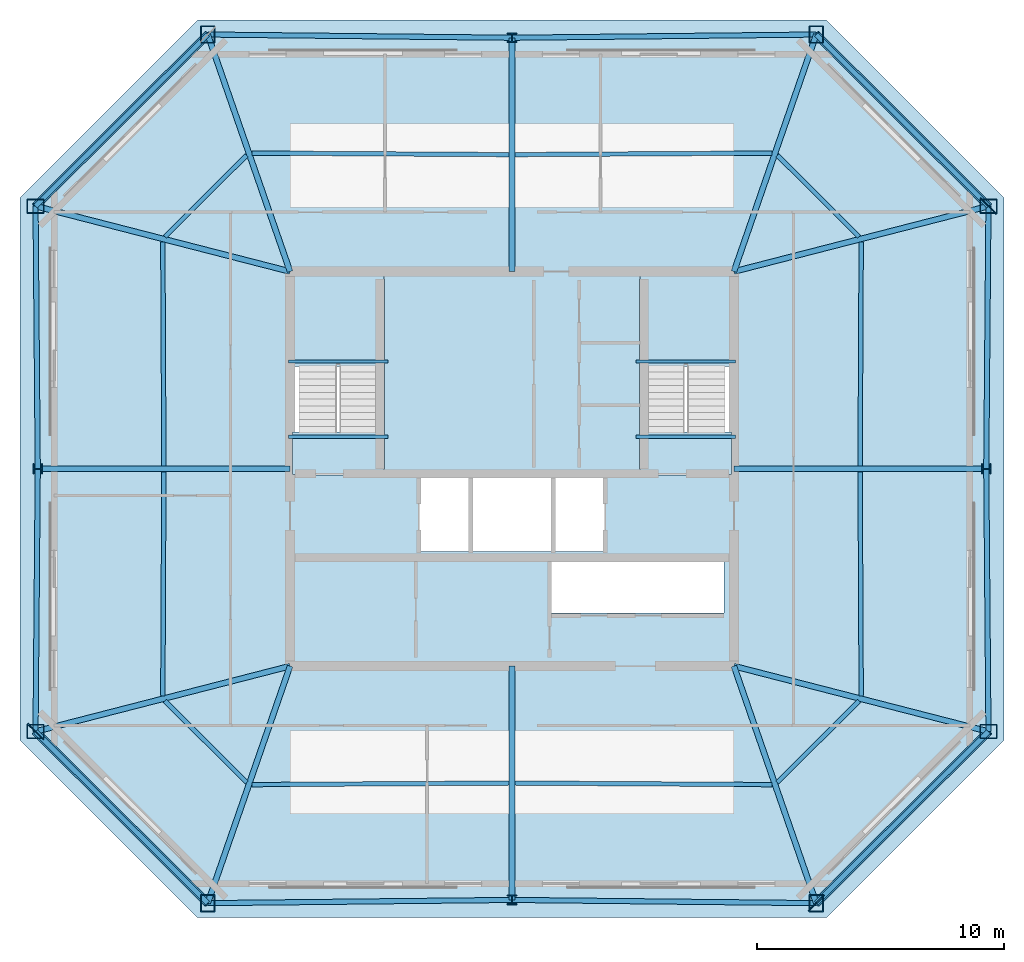
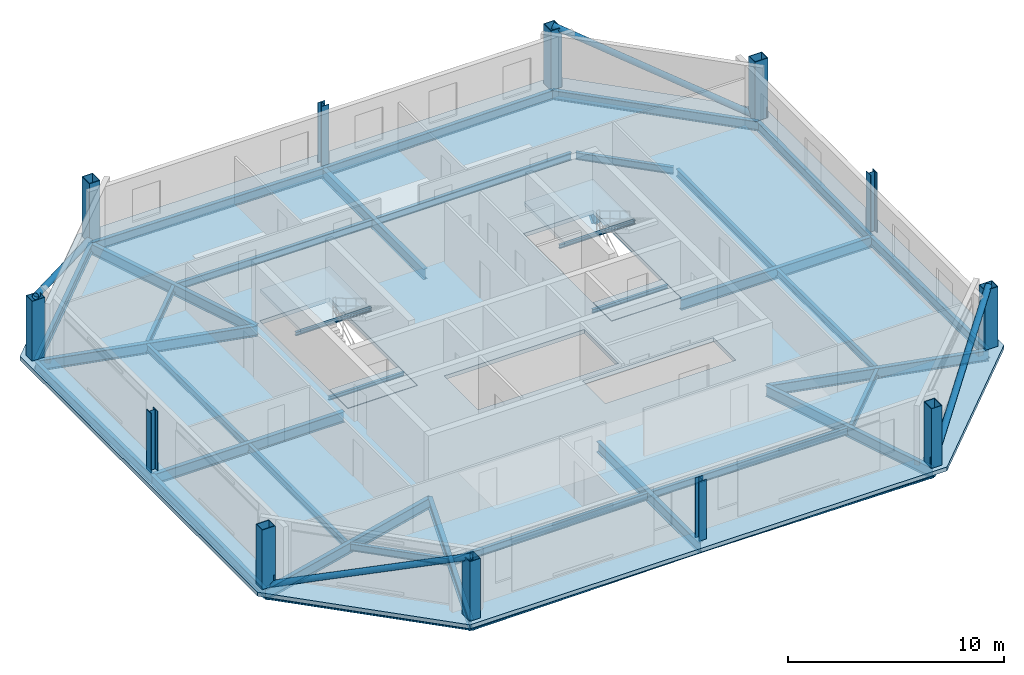
# One storey, part 1 of 6: 40 beams, 12 columns, 5 slabs, 4 members, 3 plates, 2 elements without a shape of their own.
"""IFC4 building model written with IfcOpenShell, lengths in metres."""

from ifc_helpers import new_model, si_unit, direction, frame, origin, origin_2d, place, context, subcontext, project, spatial, polyline, rectangle, hollow_rectangle, hollow_circle, i_section, outline, extrude, material, layer, layer_set, material_profile, profile_set, type_object, element, aggregate, save


model = new_model("IFC4")

# Units and contexts
model_context = context("Model", 3, precision=1e-05, world=origin(), true_north=direction((0.0, 1.0)))
body_context = subcontext(model_context, "Body", "Model", "MODEL_VIEW")
ifc_project = project(units=[si_unit("LENGTHUNIT", "METRE"), si_unit("AREAUNIT", "SQUARE_METRE"), si_unit("VOLUMEUNIT", "CUBIC_METRE"), si_unit("PLANEANGLEUNIT", "RADIAN"), si_unit("MASSUNIT", "GRAM", prefix="KILO")], contexts=[model_context])

# Site, building, storey
site_placement = place(None, origin())
site = spatial("IfcSite", under=ifc_project, at=site_placement, CompositionType="ELEMENT")
building_placement = place(site_placement, origin())
building = spatial("IfcBuilding", under=site, at=building_placement, Name="Caelvoria Tower", CompositionType="ELEMENT")
storey_placement = place(building_placement, frame((0.0, 0.0, 243.0)))
storey = spatial("IfcBuildingStorey", under=building, at=storey_placement, Name="L64", CompositionType="ELEMENT", Elevation=243.0)

# Columns
ifc_material_1 = material(Name="Structural Steel ASTM A572 Gr.50", Category="steel")
ifc_material_profile_1 = material_profile(ifc_material_1, hollow_rectangle(XDim=0.580078125, YDim=0.699951171875, WallThickness=0.031982421875, at=origin_2d()), Name="Structural Steel ASTM A572 Gr.50")
ifc_profile_set_1 = profile_set([ifc_material_profile_1], Name="BOX700X580X32 - Structural Steel ASTM A572 Gr.50")
column_type_1 = type_object("IfcColumnType", Name="Mega Box Column 700x580x32", PredefinedType="COLUMN", material=ifc_profile_set_1)
for number, where, z_axis, x_axis, name in (
    (1, (33.6630859375, 14.3896484375, 0.0), (0.0, 0.0, 1.0), (1.0, 0.0, 0.0), "Perimeter Megaframe Column L64-P00"),
    (2, (58.3369140625, 14.3896484375, 0.0), (0.0, 0.0, 1.0), (1.0, 0.0, 0.0), "Perimeter Megaframe Column L64-P02"),
    (3, (65.319580078125, 21.34765625, 0.0), (0.0, 0.0, 1.0), (0.0, 1.0, 0.0), "Perimeter Megaframe Column L64-P03"),
    (4, (65.319580078125, 42.65234375, 0.0), (0.0, 0.0, 1.0), (0.0, 1.0, 0.0), "Perimeter Megaframe Column L64-P05"),
    (5, (58.3369140625, 49.6103515625, 0.0), (0.0, 0.0, 1.0), (1.0, 0.0, 0.0), "Perimeter Megaframe Column L64-P06"),
    (6, (33.6630859375, 49.6103515625, 0.0), (0.0, 0.0, 1.0), (1.0, 0.0, 0.0), "Perimeter Megaframe Column L64-P08"),
    (7, (26.680419921875, 42.65234375, 0.0), (0.0, 0.0, 1.0), (0.0, 1.0, 0.0), "Perimeter Megaframe Column L64-P09"),
    (8, (26.680419921875, 21.34765625, 0.0), (0.0, 0.0, 1.0), (0.0, 1.0, 0.0), "Perimeter Megaframe Column L64-P11"),
):
    element("IfcColumn", number, at=place(storey_placement, frame(where, z_axis=z_axis, x_axis=x_axis)), inside=storey, type_object=column_type_1, Name=name, PredefinedType="COLUMN", context=body_context, shape_type="SweptSolid", body=[
        extrude(hollow_rectangle(XDim=0.580078125, YDim=0.699951171875, WallThickness=0.031982421875, at=origin_2d()), origin(), (0.0, 0.0, 1.0), 3.373046875),
    ])
ifc_material_2 = material(Name="Structural Steel ASTM A992 Gr.50", Category="steel")
ifc_material_profile_2 = material_profile(ifc_material_2, i_section(OverallWidth=0.39501953125, OverallDepth=0.3798828125, WebThickness=0.018798828125, FlangeThickness=0.0302734375, FilletRadius=0.02490234375, at=origin_2d()), Name="Structural Steel ASTM A992 Gr.50")
ifc_profile_set_2 = profile_set([ifc_material_profile_2], Name="W360X237 - Structural Steel ASTM A992 Gr.50")
column_type_2 = type_object("IfcColumnType", Name="Summit Frame Column W360X237", PredefinedType="COLUMN", material=ifc_profile_set_2)
for number, where, z_axis, x_axis, name in (
    (9, (46.0, 14.52001953125, 0.0), (0.0, 0.0, 1.0), (1.0, 0.0, 0.0), "Perimeter Megaframe Column L64-P01"),
    (10, (65.22998046875, 32.0, 0.0), (0.0, 0.0, 1.0), (0.0, 1.0, 0.0), "Perimeter Megaframe Column L64-P04"),
    (11, (46.0, 49.47998046875, 0.0), (0.0, 0.0, 1.0), (1.0, 0.0, 0.0), "Perimeter Megaframe Column L64-P07"),
    (12, (26.77001953125, 32.0, 0.0), (0.0, 0.0, 1.0), (0.0, 1.0, 0.0), "Perimeter Megaframe Column L64-P10"),
):
    element("IfcColumn", number, at=place(storey_placement, frame(where, z_axis=z_axis, x_axis=x_axis)), inside=storey, type_object=column_type_2, Name=name, PredefinedType="COLUMN", context=body_context, shape_type="SweptSolid", body=[
        extrude(i_section(OverallWidth=0.39501953125, OverallDepth=0.3798828125, WebThickness=0.018798828125, FlangeThickness=0.0302734375, FilletRadius=0.02490234375, at=origin_2d()), origin(), (0.0, 0.0, 1.0), 3.373046875),
    ])

# Beams
ifc_material_profile_3 = material_profile(ifc_material_2, i_section(OverallWidth=0.134033203125, OverallDepth=0.2099609375, WebThickness=0.00634765625, FlangeThickness=0.01025390625, FilletRadius=0.010009765625, at=origin_2d()), Name="Structural Steel ASTM A992 Gr.50")
ifc_profile_set_3 = profile_set([ifc_material_profile_3], Name="W200X31.3 - Structural Steel ASTM A992 Gr.50")
beam_type_1 = type_object("IfcBeamType", Name="Canopy Edge Trim Beam W200X31.3", PredefinedType="BEAM", material=ifc_profile_set_3)
for number, where, z_axis, x_axis, name in (
    (13, (36.929931640625, 36.35009765625, 1.4951171875), (1.0, 0.0, 0.0), (0.0, 1.0, 0.0), "ST-01 Half-Landing Support Beam L64"),
    (14, (36.929931640625, 33.300048828125, -0.304931640625), (1.0, 0.0, 0.0), (0.0, 1.0, 0.0), "ST-01 Floor-Landing Support Beam L64"),
    (15, (51.030029296875, 36.35009765625, 1.4951171875), (1.0, 0.0, 0.0), (0.0, 1.0, 0.0), "ST-02 Half-Landing Support Beam L64"),
    (16, (51.030029296875, 33.300048828125, -0.304931640625), (1.0, 0.0, 0.0), (0.0, 1.0, 0.0), "ST-02 Floor-Landing Support Beam L64"),
):
    element("IfcBeam", number, at=place(storey_placement, frame(where, z_axis=z_axis, x_axis=x_axis)), inside=storey, type_object=beam_type_1, Name=name, PredefinedType="BEAM", context=body_context, shape_type="SweptSolid", body=[
        extrude(i_section(OverallWidth=0.134033203125, OverallDepth=0.2099609375, WebThickness=0.00634765625, FlangeThickness=0.01025390625, FilletRadius=0.010009765625, at=origin_2d()), origin(), (0.0, 0.0, 1.0), 4.0400390625),
    ])
ifc_material_profile_4 = material_profile(ifc_material_2, i_section(OverallWidth=0.22802734375, OverallDepth=0.60302734375, WebThickness=0.010498046875, FlangeThickness=0.014892578125, FilletRadius=0.01806640625, at=origin_2d()), Name="Structural Steel ASTM A992 Gr.50")
ifc_profile_set_4 = profile_set([ifc_material_profile_4], Name="W610X101 - Structural Steel ASTM A992 Gr.50")
beam_type_2 = type_object("IfcBeamType", Name="Primary Floor Girder W610X101", PredefinedType="BEAM", material=ifc_profile_set_4)
beam_1_placement = place(storey_placement, frame((37.0, 24.0, -0.526611328125), z_axis=(-0.32801049917, -0.944674077359, 0.0), x_axis=(0.944674077359, -0.32801049917, 0.0)))
element("IfcBeam", 17, at=beam_1_placement, inside=storey, type_object=beam_type_2, Name="Primary Floor Girder L64-00", PredefinedType="BEAM", context=body_context, shape_type="SweptSolid", body=[
    extrude(i_section(OverallWidth=0.22802734375, OverallDepth=0.60302734375, WebThickness=0.010498046875, FlangeThickness=0.014892578125, FilletRadius=0.01806640625, at=origin_2d()), origin(), (0.0, 0.0, 1.0), 10.173095703125),
])
beam_2_placement = place(storey_placement, frame((46.0, 24.0, -0.526611328125), z_axis=(0.0, -1.0, 0.0), x_axis=(1.0, 0.0, 0.0)))
element("IfcBeam", 18, at=beam_2_placement, inside=storey, type_object=beam_type_2, Name="Primary Floor Girder L64-01", PredefinedType="BEAM", context=body_context, shape_type="SweptSolid", body=[
    extrude(i_section(OverallWidth=0.22802734375, OverallDepth=0.60302734375, WebThickness=0.010498046875, FlangeThickness=0.014892578125, FilletRadius=0.01806640625, at=origin_2d()), origin(), (0.0, 0.0, 1.0), 9.47998046875),
])
beam_3_placement = place(storey_placement, frame((55.0, 24.0, -0.526611328125), z_axis=(0.32801049917, -0.944674077359, 0.0), x_axis=(0.944674077359, 0.32801049917, 0.0)))
element("IfcBeam", 19, at=beam_3_placement, inside=storey, type_object=beam_type_2, Name="Primary Floor Girder L64-02", PredefinedType="BEAM", context=body_context, shape_type="SweptSolid", body=[
    extrude(i_section(OverallWidth=0.22802734375, OverallDepth=0.60302734375, WebThickness=0.010498046875, FlangeThickness=0.014892578125, FilletRadius=0.01806640625, at=origin_2d()), origin(), (0.0, 0.0, 1.0), 10.173095703125),
])
beam_4_placement = place(storey_placement, frame((55.0, 24.0, -0.526611328125), z_axis=(0.968521506415, -0.248929892964, 0.0), x_axis=(0.248929892964, 0.968521506415, 0.0)))
element("IfcBeam", 20, at=beam_4_placement, inside=storey, type_object=beam_type_2, Name="Primary Floor Girder L64-03", PredefinedType="BEAM", context=body_context, shape_type="SweptSolid", body=[
    extrude(i_section(OverallWidth=0.22802734375, OverallDepth=0.60302734375, WebThickness=0.010498046875, FlangeThickness=0.014892578125, FilletRadius=0.01806640625, at=origin_2d()), origin(), (0.0, 0.0, 1.0), 10.655029296875),
])
beam_5_placement = place(storey_placement, frame((55.0, 32.0, -0.526611328125), z_axis=(1.0, 0.0, 0.0), x_axis=(0.0, 1.0, 0.0)))
element("IfcBeam", 21, at=beam_5_placement, inside=storey, type_object=beam_type_2, Name="Primary Floor Girder L64-04", PredefinedType="BEAM", context=body_context, shape_type="SweptSolid", body=[
    extrude(i_section(OverallWidth=0.22802734375, OverallDepth=0.60302734375, WebThickness=0.010498046875, FlangeThickness=0.014892578125, FilletRadius=0.01806640625, at=origin_2d()), origin(), (0.0, 0.0, 1.0), 10.22998046875),
])
beam_6_placement = place(storey_placement, frame((55.0, 40.0, -0.526611328125), z_axis=(0.968521506415, 0.248929892964, 0.0), x_axis=(-0.248929892964, 0.968521506415, 0.0)))
element("IfcBeam", 22, at=beam_6_placement, inside=storey, type_object=beam_type_2, Name="Primary Floor Girder L64-05", PredefinedType="BEAM", context=body_context, shape_type="SweptSolid", body=[
    extrude(i_section(OverallWidth=0.22802734375, OverallDepth=0.60302734375, WebThickness=0.010498046875, FlangeThickness=0.014892578125, FilletRadius=0.01806640625, at=origin_2d()), origin(), (0.0, 0.0, 1.0), 10.655029296875),
])
beam_7_placement = place(storey_placement, frame((55.0, 40.0, -0.526611328125), z_axis=(0.32801049917, 0.944674077359, 0.0), x_axis=(-0.944674077359, 0.32801049917, 0.0)))
element("IfcBeam", 23, at=beam_7_placement, inside=storey, type_object=beam_type_2, Name="Primary Floor Girder L64-06", PredefinedType="BEAM", context=body_context, shape_type="SweptSolid", body=[
    extrude(i_section(OverallWidth=0.22802734375, OverallDepth=0.60302734375, WebThickness=0.010498046875, FlangeThickness=0.014892578125, FilletRadius=0.01806640625, at=origin_2d()), origin(), (0.0, 0.0, 1.0), 10.173095703125),
])
beam_8_placement = place(storey_placement, frame((46.0, 40.0, -0.526611328125), z_axis=(0.0, 1.0, 0.0), x_axis=(-1.0, 0.0, 0.0)))
element("IfcBeam", 24, at=beam_8_placement, inside=storey, type_object=beam_type_2, Name="Primary Floor Girder L64-07", PredefinedType="BEAM", context=body_context, shape_type="SweptSolid", body=[
    extrude(i_section(OverallWidth=0.22802734375, OverallDepth=0.60302734375, WebThickness=0.010498046875, FlangeThickness=0.014892578125, FilletRadius=0.01806640625, at=origin_2d()), origin(), (0.0, 0.0, 1.0), 9.47998046875),
])
beam_9_placement = place(storey_placement, frame((37.0, 40.0, -0.526611328125), z_axis=(-0.32801049917, 0.944674077359, 0.0), x_axis=(-0.944674077359, -0.32801049917, 0.0)))
element("IfcBeam", 25, at=beam_9_placement, inside=storey, type_object=beam_type_2, Name="Primary Floor Girder L64-08", PredefinedType="BEAM", context=body_context, shape_type="SweptSolid", body=[
    extrude(i_section(OverallWidth=0.22802734375, OverallDepth=0.60302734375, WebThickness=0.010498046875, FlangeThickness=0.014892578125, FilletRadius=0.01806640625, at=origin_2d()), origin(), (0.0, 0.0, 1.0), 10.173095703125),
])
beam_10_placement = place(storey_placement, frame((37.0, 40.0, -0.526611328125), z_axis=(-0.968521506415, 0.248929892964, 0.0), x_axis=(-0.248929892964, -0.968521506415, 0.0)))
element("IfcBeam", 26, at=beam_10_placement, inside=storey, type_object=beam_type_2, Name="Primary Floor Girder L64-09", PredefinedType="BEAM", context=body_context, shape_type="SweptSolid", body=[
    extrude(i_section(OverallWidth=0.22802734375, OverallDepth=0.60302734375, WebThickness=0.010498046875, FlangeThickness=0.014892578125, FilletRadius=0.01806640625, at=origin_2d()), origin(), (0.0, 0.0, 1.0), 10.655029296875),
])
beam_11_placement = place(storey_placement, frame((37.0, 32.0, -0.526611328125), z_axis=(-1.0, 0.0, 0.0), x_axis=(0.0, -1.0, 0.0)))
element("IfcBeam", 27, at=beam_11_placement, inside=storey, type_object=beam_type_2, Name="Primary Floor Girder L64-10", PredefinedType="BEAM", context=body_context, shape_type="SweptSolid", body=[
    extrude(i_section(OverallWidth=0.22802734375, OverallDepth=0.60302734375, WebThickness=0.010498046875, FlangeThickness=0.014892578125, FilletRadius=0.01806640625, at=origin_2d()), origin(), (0.0, 0.0, 1.0), 10.22998046875),
])
beam_12_placement = place(storey_placement, frame((37.0, 24.0, -0.526611328125), z_axis=(-0.968521506415, -0.248929892964, 0.0), x_axis=(0.248929892964, -0.968521506415, 0.0)))
element("IfcBeam", 28, at=beam_12_placement, inside=storey, type_object=beam_type_2, Name="Primary Floor Girder L64-11", PredefinedType="BEAM", context=body_context, shape_type="SweptSolid", body=[
    extrude(i_section(OverallWidth=0.22802734375, OverallDepth=0.60302734375, WebThickness=0.010498046875, FlangeThickness=0.014892578125, FilletRadius=0.01806640625, at=origin_2d()), origin(), (0.0, 0.0, 1.0), 10.655029296875),
])
ifc_material_profile_5 = material_profile(ifc_material_2, i_section(OverallWidth=0.177978515625, OverallDepth=0.406982421875, WebThickness=0.0078125, FlangeThickness=0.0126953125, FilletRadius=0.013916015625, at=origin_2d()), Name="Structural Steel ASTM A992 Gr.50")
ifc_profile_set_5 = profile_set([ifc_material_profile_5], Name="W410X60 - Structural Steel ASTM A992 Gr.50")
beam_type_3 = type_object("IfcBeamType", Name="Secondary Floor Beam W410X60", PredefinedType="BEAM", material=ifc_profile_set_5)
for number, where, z_axis, x_axis, name in (
    (29, (35.45654296875, 19.195556640625, -0.428466796875), (0.999981296963, 0.006116021899, 0.0), (-0.006116021899, 0.999981296963, 0.0), "Secondary Floor Beam L64-00"),
    (30, (46.125, 19.25927734375, -0.428466796875), (0.999981296963, -0.006116021899, 0.0), (0.006116021899, 0.999981296963, 0.0), "Secondary Floor Beam L64-01"),
):
    element("IfcBeam", number, at=place(storey_placement, frame(where, z_axis=z_axis, x_axis=x_axis)), inside=storey, type_object=beam_type_3, Name=name, PredefinedType="BEAM", context=body_context, shape_type="SweptSolid", body=[
        extrude(i_section(OverallWidth=0.177978515625, OverallDepth=0.406982421875, WebThickness=0.0078125, FlangeThickness=0.0126953125, FilletRadius=0.013916015625, at=origin_2d()), origin(), (0.0, 0.0, 1.0), 10.418701171875),
    ])
beam_13_placement = place(storey_placement, frame((56.7568359375, 19.282958984375, -0.428466796875), z_axis=(0.708357925601, 0.705853419088, 0.0), x_axis=(-0.705853419088, 0.708357925601, 0.0)))
element("IfcBeam", 31, at=beam_13_placement, inside=storey, type_object=beam_type_3, Name="Secondary Floor Beam L64-02", PredefinedType="BEAM", context=body_context, shape_type="SweptSolid", body=[
    extrude(i_section(OverallWidth=0.177978515625, OverallDepth=0.406982421875, WebThickness=0.0078125, FlangeThickness=0.0126953125, FilletRadius=0.013916015625, at=origin_2d()), origin(), (0.0, 0.0, 1.0), 4.678955078125),
])
for number, where, z_axis, x_axis, name in (
    (32, (60.1591796875, 22.798828125, -0.428466796875), (-0.004814878553, 0.999988408405, 0.0), (-0.999988408405, -0.004814878553, 0.0), "Secondary Floor Beam L64-03"),
    (33, (60.115478515625, 32.125, -0.428466796875), (0.004814878553, 0.999988408405, 0.0), (-0.999988408405, 0.004814878553, 0.0), "Secondary Floor Beam L64-04"),
):
    element("IfcBeam", number, at=place(storey_placement, frame(where, z_axis=z_axis, x_axis=x_axis)), inside=storey, type_object=beam_type_3, Name=name, PredefinedType="BEAM", context=body_context, shape_type="SweptSolid", body=[
        extrude(i_section(OverallWidth=0.177978515625, OverallDepth=0.406982421875, WebThickness=0.0078125, FlangeThickness=0.0126953125, FilletRadius=0.013916015625, at=origin_2d()), origin(), (0.0, 0.0, 1.0), 9.076171875),
    ])
beam_14_placement = place(storey_placement, frame((60.0712890625, 41.414306640625, -0.428466796875), z_axis=(-0.708384014524, 0.705827236628, 0.0), x_axis=(-0.705827236628, -0.708384014524, 0.0)))
element("IfcBeam", 34, at=beam_14_placement, inside=storey, type_object=beam_type_3, Name="Secondary Floor Beam L64-05", PredefinedType="BEAM", context=body_context, shape_type="SweptSolid", body=[
    extrude(i_section(OverallWidth=0.177978515625, OverallDepth=0.406982421875, WebThickness=0.0078125, FlangeThickness=0.0126953125, FilletRadius=0.013916015625, at=origin_2d()), origin(), (0.0, 0.0, 1.0), 4.678955078125),
])
for number, where, z_axis, x_axis, name in (
    (35, (56.54345703125, 44.80419921875, -0.428466796875), (-0.999981440003, -0.006092589736, 0.0), (0.006092589736, -0.999981440003, 0.0), "Secondary Floor Beam L64-06"),
    (36, (45.875, 44.74072265625, -0.428466796875), (-0.999981440003, 0.006092589736, 0.0), (-0.006092589736, -0.999981440003, 0.0), "Secondary Floor Beam L64-07"),
):
    element("IfcBeam", number, at=place(storey_placement, frame(where, z_axis=z_axis, x_axis=x_axis)), inside=storey, type_object=beam_type_3, Name=name, PredefinedType="BEAM", context=body_context, shape_type="SweptSolid", body=[
        extrude(i_section(OverallWidth=0.177978515625, OverallDepth=0.406982421875, WebThickness=0.0078125, FlangeThickness=0.0126953125, FilletRadius=0.013916015625, at=origin_2d()), origin(), (0.0, 0.0, 1.0), 10.418701171875),
    ])
beam_15_placement = place(storey_placement, frame((35.2431640625, 44.716796875, -0.428466796875), z_axis=(-0.708384014524, -0.705827236628, 0.0), x_axis=(0.705827236628, -0.708384014524, 0.0)))
element("IfcBeam", 37, at=beam_15_placement, inside=storey, type_object=beam_type_3, Name="Secondary Floor Beam L64-08", PredefinedType="BEAM", context=body_context, shape_type="SweptSolid", body=[
    extrude(i_section(OverallWidth=0.177978515625, OverallDepth=0.406982421875, WebThickness=0.0078125, FlangeThickness=0.0126953125, FilletRadius=0.013916015625, at=origin_2d()), origin(), (0.0, 0.0, 1.0), 4.678955078125),
])
for number, where, z_axis, x_axis, name in (
    (38, (31.8408203125, 41.201171875, -0.428466796875), (0.004814878553, -0.999988408405, 0.0), (0.999988408405, 0.004814878553, 0.0), "Secondary Floor Beam L64-09"),
    (39, (31.884521484375, 31.875, -0.428466796875), (-0.004814878553, -0.999988408405, 0.0), (0.999988408405, -0.004814878553, 0.0), "Secondary Floor Beam L64-10"),
):
    element("IfcBeam", number, at=place(storey_placement, frame(where, z_axis=z_axis, x_axis=x_axis)), inside=storey, type_object=beam_type_3, Name=name, PredefinedType="BEAM", context=body_context, shape_type="SweptSolid", body=[
        extrude(i_section(OverallWidth=0.177978515625, OverallDepth=0.406982421875, WebThickness=0.0078125, FlangeThickness=0.0126953125, FilletRadius=0.013916015625, at=origin_2d()), origin(), (0.0, 0.0, 1.0), 9.076171875),
    ])
beam_16_placement = place(storey_placement, frame((31.9287109375, 22.585693359375, -0.428466796875), z_axis=(0.708357925601, -0.705853419088, 0.0), x_axis=(0.705853419088, 0.708357925601, 0.0)))
element("IfcBeam", 40, at=beam_16_placement, inside=storey, type_object=beam_type_3, Name="Secondary Floor Beam L64-11", PredefinedType="BEAM", context=body_context, shape_type="SweptSolid", body=[
    extrude(i_section(OverallWidth=0.177978515625, OverallDepth=0.406982421875, WebThickness=0.0078125, FlangeThickness=0.0126953125, FilletRadius=0.013916015625, at=origin_2d()), origin(), (0.0, 0.0, 1.0), 4.678955078125),
])

# Members
ifc_material_profile_6 = material_profile(ifc_material_1, hollow_circle(Radius=0.162109375, WallThickness=0.0126953125, at=origin_2d()), Name="Structural Steel ASTM A572 Gr.50")
ifc_profile_set_6 = profile_set([ifc_material_profile_6], Name="CHS324X12.7 - Structural Steel ASTM A572 Gr.50")
member_type = type_object("IfcMemberType", Name="Summit Perimeter Mega Brace CHS324X12.7", PredefinedType="BRACE", material=ifc_profile_set_6)
for number, where, z_axis, x_axis, name in (
    (41, (58.3369140625, 14.3896484375, 0.0), (0.670165562834, 0.667798976986, 0.323917651153), (-0.705854949612, 0.708356400486, 0.0), "Perimeter Chamfer Mega Brace L64 SE"),
    (42, (65.319580078125, 42.65234375, 0.0), (-0.670165562834, 0.667798976986, 0.323917651153), (-0.705854949612, -0.708356400486, 0.0), "Perimeter Chamfer Mega Brace L64 NE"),
    (43, (33.6630859375, 49.6103515625, 0.0), (-0.670165562834, -0.667798976986, 0.323917651153), (0.705854949612, -0.708356400486, 0.0), "Perimeter Chamfer Mega Brace L64 NW"),
    (44, (26.680419921875, 21.34765625, 0.0), (0.670165562834, -0.667798976986, 0.323917651153), (0.705854949612, 0.708356400486, 0.0), "Perimeter Chamfer Mega Brace L64 SW"),
):
    element("IfcMember", number, at=place(storey_placement, frame(where, z_axis=z_axis, x_axis=x_axis)), inside=storey, type_object=member_type, Name=name, PredefinedType="BRACE", context=body_context, shape_type="SweptSolid", body=[
        extrude(hollow_circle(Radius=0.162109375, WallThickness=0.0126953125, at=origin_2d()), origin(), (0.0, 0.0, 1.0), 10.41943359375),
    ])

# Beams
ifc_material_profile_7 = material_profile(ifc_material_2, i_section(OverallWidth=0.208984375, OverallDepth=0.532958984375, WebThickness=0.01025390625, FlangeThickness=0.015625, FilletRadius=0.01611328125, at=origin_2d()), Name="Structural Steel ASTM A992 Gr.50")
ifc_profile_set_7 = profile_set([ifc_material_profile_7], Name="W530X92 - Structural Steel ASTM A992 Gr.50")
beam_type_4 = type_object("IfcBeamType", Name="Upper Zone Spandrel W530X92", PredefinedType="BEAM", material=ifc_profile_set_7)
for number, where, z_axis, x_axis, name in (
    (45, (33.6630859375, 14.3896484375, -0.491455078125), (0.999944168002, 0.010566971141, 0.0), (-0.010566971141, 0.999944168002, 0.0), "Perimeter Spandrel Girder L64-00"),
    (46, (46.0, 14.52001953125, -0.491455078125), (0.999944168002, -0.010566971141, 0.0), (0.010566971141, 0.999944168002, 0.0), "Perimeter Spandrel Girder L64-01"),
):
    element("IfcBeam", number, at=place(storey_placement, frame(where, z_axis=z_axis, x_axis=x_axis)), inside=storey, type_object=beam_type_4, Name=name, PredefinedType="BEAM", context=body_context, shape_type="SweptSolid", body=[
        extrude(i_section(OverallWidth=0.208984375, OverallDepth=0.532958984375, WebThickness=0.01025390625, FlangeThickness=0.015625, FilletRadius=0.01611328125, at=origin_2d()), origin(), (0.0, 0.0, 1.0), 12.337646484375),
    ])
beam_17_placement = place(storey_placement, frame((58.3369140625, 14.3896484375, -0.491455078125), z_axis=(0.708356400486, 0.705854949612, 0.0), x_axis=(-0.705854949612, 0.708356400486, 0.0)))
element("IfcBeam", 47, at=beam_17_placement, inside=storey, type_object=beam_type_4, Name="Perimeter Spandrel Girder L64-02", PredefinedType="BEAM", context=body_context, shape_type="SweptSolid", body=[
    extrude(i_section(OverallWidth=0.208984375, OverallDepth=0.532958984375, WebThickness=0.01025390625, FlangeThickness=0.015625, FilletRadius=0.01611328125, at=origin_2d()), origin(), (0.0, 0.0, 1.0), 9.857666015625),
])
for number, where, z_axis, x_axis, name in (
    (48, (65.319580078125, 21.34765625, -0.491455078125), (-0.008410960263, 0.999964627248, 0.0), (-0.999964627248, -0.008410960263, 0.0), "Perimeter Spandrel Girder L64-03"),
    (49, (65.22998046875, 32.0, -0.491455078125), (0.008410960263, 0.999964627248, 0.0), (-0.999964627248, 0.008410960263, 0.0), "Perimeter Spandrel Girder L64-04"),
):
    element("IfcBeam", number, at=place(storey_placement, frame(where, z_axis=z_axis, x_axis=x_axis)), inside=storey, type_object=beam_type_4, Name=name, PredefinedType="BEAM", context=body_context, shape_type="SweptSolid", body=[
        extrude(i_section(OverallWidth=0.208984375, OverallDepth=0.532958984375, WebThickness=0.01025390625, FlangeThickness=0.015625, FilletRadius=0.01611328125, at=origin_2d()), origin(), (0.0, 0.0, 1.0), 10.65283203125),
    ])
beam_18_placement = place(storey_placement, frame((65.319580078125, 42.65234375, -0.491455078125), z_axis=(-0.708356400486, 0.705854949612, 0.0), x_axis=(-0.705854949612, -0.708356400486, 0.0)))
element("IfcBeam", 50, at=beam_18_placement, inside=storey, type_object=beam_type_4, Name="Perimeter Spandrel Girder L64-05", PredefinedType="BEAM", context=body_context, shape_type="SweptSolid", body=[
    extrude(i_section(OverallWidth=0.208984375, OverallDepth=0.532958984375, WebThickness=0.01025390625, FlangeThickness=0.015625, FilletRadius=0.01611328125, at=origin_2d()), origin(), (0.0, 0.0, 1.0), 9.857666015625),
])
for number, where, z_axis, x_axis, name in (
    (51, (58.3369140625, 49.6103515625, -0.491455078125), (-0.999944168002, -0.010566971141, 0.0), (0.010566971141, -0.999944168002, 0.0), "Perimeter Spandrel Girder L64-06"),
    (52, (46.0, 49.47998046875, -0.491455078125), (-0.999944168002, 0.010566971141, 0.0), (-0.010566971141, -0.999944168002, 0.0), "Perimeter Spandrel Girder L64-07"),
):
    element("IfcBeam", number, at=place(storey_placement, frame(where, z_axis=z_axis, x_axis=x_axis)), inside=storey, type_object=beam_type_4, Name=name, PredefinedType="BEAM", context=body_context, shape_type="SweptSolid", body=[
        extrude(i_section(OverallWidth=0.208984375, OverallDepth=0.532958984375, WebThickness=0.01025390625, FlangeThickness=0.015625, FilletRadius=0.01611328125, at=origin_2d()), origin(), (0.0, 0.0, 1.0), 12.337646484375),
    ])
beam_19_placement = place(storey_placement, frame((33.6630859375, 49.6103515625, -0.491455078125), z_axis=(-0.708356400486, -0.705854949612, 0.0), x_axis=(0.705854949612, -0.708356400486, 0.0)))
element("IfcBeam", 53, at=beam_19_placement, inside=storey, type_object=beam_type_4, Name="Perimeter Spandrel Girder L64-08", PredefinedType="BEAM", context=body_context, shape_type="SweptSolid", body=[
    extrude(i_section(OverallWidth=0.208984375, OverallDepth=0.532958984375, WebThickness=0.01025390625, FlangeThickness=0.015625, FilletRadius=0.01611328125, at=origin_2d()), origin(), (0.0, 0.0, 1.0), 9.857666015625),
])
for number, where, z_axis, x_axis, name in (
    (54, (26.680419921875, 42.65234375, -0.491455078125), (0.008410960263, -0.999964627248, 0.0), (0.999964627248, 0.008410960263, 0.0), "Perimeter Spandrel Girder L64-09"),
    (55, (26.77001953125, 32.0, -0.491455078125), (-0.008410960263, -0.999964627248, 0.0), (0.999964627248, -0.008410960263, 0.0), "Perimeter Spandrel Girder L64-10"),
):
    element("IfcBeam", number, at=place(storey_placement, frame(where, z_axis=z_axis, x_axis=x_axis)), inside=storey, type_object=beam_type_4, Name=name, PredefinedType="BEAM", context=body_context, shape_type="SweptSolid", body=[
        extrude(i_section(OverallWidth=0.208984375, OverallDepth=0.532958984375, WebThickness=0.01025390625, FlangeThickness=0.015625, FilletRadius=0.01611328125, at=origin_2d()), origin(), (0.0, 0.0, 1.0), 10.65283203125),
    ])
beam_20_placement = place(storey_placement, frame((26.680419921875, 21.34765625, -0.491455078125), z_axis=(0.708356400486, -0.705854949612, 0.0), x_axis=(0.705854949612, 0.708356400486, 0.0)))
element("IfcBeam", 56, at=beam_20_placement, inside=storey, type_object=beam_type_4, Name="Perimeter Spandrel Girder L64-11", PredefinedType="BEAM", context=body_context, shape_type="SweptSolid", body=[
    extrude(i_section(OverallWidth=0.208984375, OverallDepth=0.532958984375, WebThickness=0.01025390625, FlangeThickness=0.015625, FilletRadius=0.01611328125, at=origin_2d()), origin(), (0.0, 0.0, 1.0), 9.857666015625),
])

# Plates
ifc_layer_1 = layer(ifc_material_1, 0.0400390625, Name="Structural Steel ASTM A572 Gr.50")
ifc_layer_set_1 = layer_set([ifc_layer_1], Name="Megaframe Node Gusset Plate 900x600x40 - Structural Steel ASTM A572 Gr.50")
plate_type = type_object("IfcPlateType", Name="Megaframe Node Gusset Plate 900x600x40", PredefinedType="USERDEFINED", material=ifc_layer_set_1)
for number, where, z_axis, x_axis, name in (
    (57, (58.3369140625, 14.3896484375, 0.02001953125), (0.0, 0.0, 1.0), (0.708358317156, 0.705853026143, 0.0), "Chamfer Mega Brace Gusset L64 SE"),
    (58, (65.319580078125, 42.65234375, 0.02001953125), (0.0, 0.0, 1.0), (-0.708358317156, 0.705853026143, 0.0), "Chamfer Mega Brace Gusset L64 NE"),
    (59, (26.680419921875, 21.34765625, 0.02001953125), (0.0, 0.0, 1.0), (0.708358317156, -0.705853026143, 0.0), "Chamfer Mega Brace Gusset L64 SW"),
):
    element("IfcPlate", number, at=place(storey_placement, frame(where, z_axis=z_axis, x_axis=x_axis)), inside=storey, type_object=plate_type, Name=name, ObjectType="GUSSET_PLATE", PredefinedType="USERDEFINED", context=body_context, shape_type="SweptSolid", body=[
        extrude(rectangle(XDim=0.89990234375, YDim=0.0400390625, at=origin_2d()), origin(), (0.0, 0.0, 1.0), 0.60009765625),
    ])

# Stair, slabs
ifc_material_3 = material(Name="Concrete C40/50", Category="concrete")
stair_type = type_object("IfcStairType", Name="Core Smokeproof Dogleg Stair Concrete C40/50", PredefinedType="HALF_TURN_STAIR", material=ifc_material_3)
stair_1_placement = place(storey_placement, origin())
stair_1 = element("IfcStair", 60, at=stair_1_placement, inside=storey, type_object=stair_type, Name="ST-01 Smokeproof Exit Stair L64", PredefinedType="HALF_TURN_STAIR")
ifc_layer_2 = layer(ifc_material_3, 0.199951171875, Name="Concrete C40/50")
ifc_layer_set_2 = layer_set([ifc_layer_2], Name="Stair Half and Floor Landing Slab 200 Concrete C40/50 - Concrete C40/50")
slab_type_1 = type_object("IfcSlabType", Name="Stair Half and Floor Landing Slab 200 Concrete C40/50", PredefinedType="LANDING", material=ifc_layer_set_2)
slab_1_placement = place(storey_placement, frame((0.0, 0.0, -0.199951171875)))
slab_1 = element("IfcSlab", 61, at=slab_1_placement, type_object=slab_type_1, Name="ST-01 landing 1", PredefinedType="LANDING", context=body_context, shape_type="SweptSolid", body=[
    extrude(outline(polyline([(37.10009765625, 31.77001953125), (40.800048828125, 31.77001953125), (40.800048828125, 33.5), (37.10009765625, 33.5), (37.10009765625, 31.77001953125)])), origin(), (0.0, 0.0, 1.0), 0.199951171875),
])
slab_2_placement = place(storey_placement, frame((0.0, 0.0, 1.60009765625)))
slab_2 = element("IfcSlab", 62, at=slab_2_placement, type_object=slab_type_1, Name="ST-01 landing 2", PredefinedType="LANDING", context=body_context, shape_type="SweptSolid", body=[
    extrude(outline(polyline([(37.10009765625, 36.14990234375), (40.800048828125, 36.14990234375), (40.800048828125, 39.89990234375), (37.10009765625, 39.89990234375), (37.10009765625, 36.14990234375)])), origin(), (0.0, 0.0, 1.0), 0.199951171875),
])
aggregate(stair_1, [slab_1, slab_2])

stair_2_placement = place(storey_placement, origin())
stair_2 = element("IfcStair", 63, at=stair_2_placement, inside=storey, type_object=stair_type, Name="ST-02 Smokeproof Exit Stair L64", PredefinedType="HALF_TURN_STAIR")
slab_3_placement = place(storey_placement, frame((0.0, 0.0, -0.199951171875)))
slab_3 = element("IfcSlab", 64, at=slab_3_placement, type_object=slab_type_1, Name="ST-02 landing 1", PredefinedType="LANDING", context=body_context, shape_type="SweptSolid", body=[
    extrude(outline(polyline([(51.199951171875, 31.77001953125), (54.89990234375, 31.77001953125), (54.89990234375, 33.5), (51.199951171875, 33.5), (51.199951171875, 31.77001953125)])), origin(), (0.0, 0.0, 1.0), 0.199951171875),
])
slab_4_placement = place(storey_placement, frame((0.0, 0.0, 1.60009765625)))
slab_4 = element("IfcSlab", 65, at=slab_4_placement, type_object=slab_type_1, Name="ST-02 landing 2", PredefinedType="LANDING", context=body_context, shape_type="SweptSolid", body=[
    extrude(outline(polyline([(51.199951171875, 36.14990234375), (54.89990234375, 36.14990234375), (54.89990234375, 39.89990234375), (51.199951171875, 39.89990234375), (51.199951171875, 36.14990234375)])), origin(), (0.0, 0.0, 1.0), 0.199951171875),
])
aggregate(stair_2, [slab_3, slab_4])

# Slab
ifc_layer_3 = layer(ifc_material_3, 0.22509765625, Name="Concrete C40/50")
ifc_layer_set_3 = layer_set([ifc_layer_3], Name="Upper Tower Composite Office Slab 225 - Concrete C40/50")
slab_type_2 = type_object("IfcSlabType", Name="Upper Tower Composite Office Slab 225", PredefinedType="FLOOR", material=ifc_layer_set_3)
slab_5_placement = place(storey_placement, frame((0.0, 0.0, -0.22509765625)))
element("IfcSlab", 66, at=slab_5_placement, inside=storey, type_object=slab_type_2, Name="Level L64 Structural Floor Slab", PredefinedType="FLOOR", context=body_context, shape_type="SweptSolid", body=[
    extrude(outline(polyline([(33.25, 13.800048828125), (58.75, 13.800048828125), (65.949951171875, 21.0), (65.949951171875, 43.0), (58.75, 50.199951171875), (33.25, 50.199951171875), (26.050048828125, 43.0), (26.050048828125, 21.0), (33.25, 13.800048828125)]), holes=[polyline([(37.080078125, 31.75), (40.820068359375, 31.75), (40.820068359375, 39.919921875), (37.080078125, 39.919921875), (37.080078125, 31.75)]), polyline([(51.179931640625, 31.75), (54.919921875, 31.75), (54.919921875, 39.919921875), (51.179931640625, 39.919921875), (51.179931640625, 31.75)]), polyline([(42.25, 28.64990234375), (49.75, 28.64990234375), (49.75, 31.800048828125), (42.25, 31.800048828125), (42.25, 28.64990234375)]), polyline([(47.60009765625, 26.14990234375), (54.60009765625, 26.14990234375), (54.60009765625, 28.25), (47.60009765625, 28.25), (47.60009765625, 26.14990234375)])]), origin(), (0.0, 0.0, 1.0), 0.22509765625),
])

save(model, "model.ifc")
